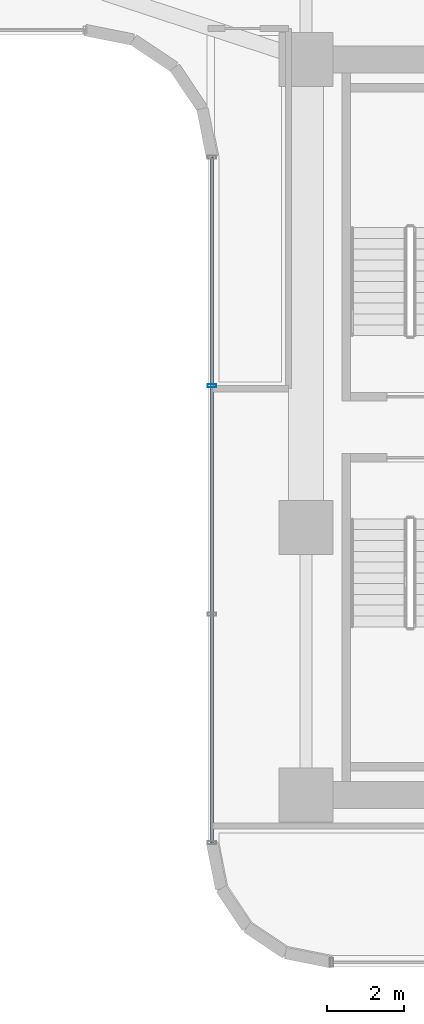
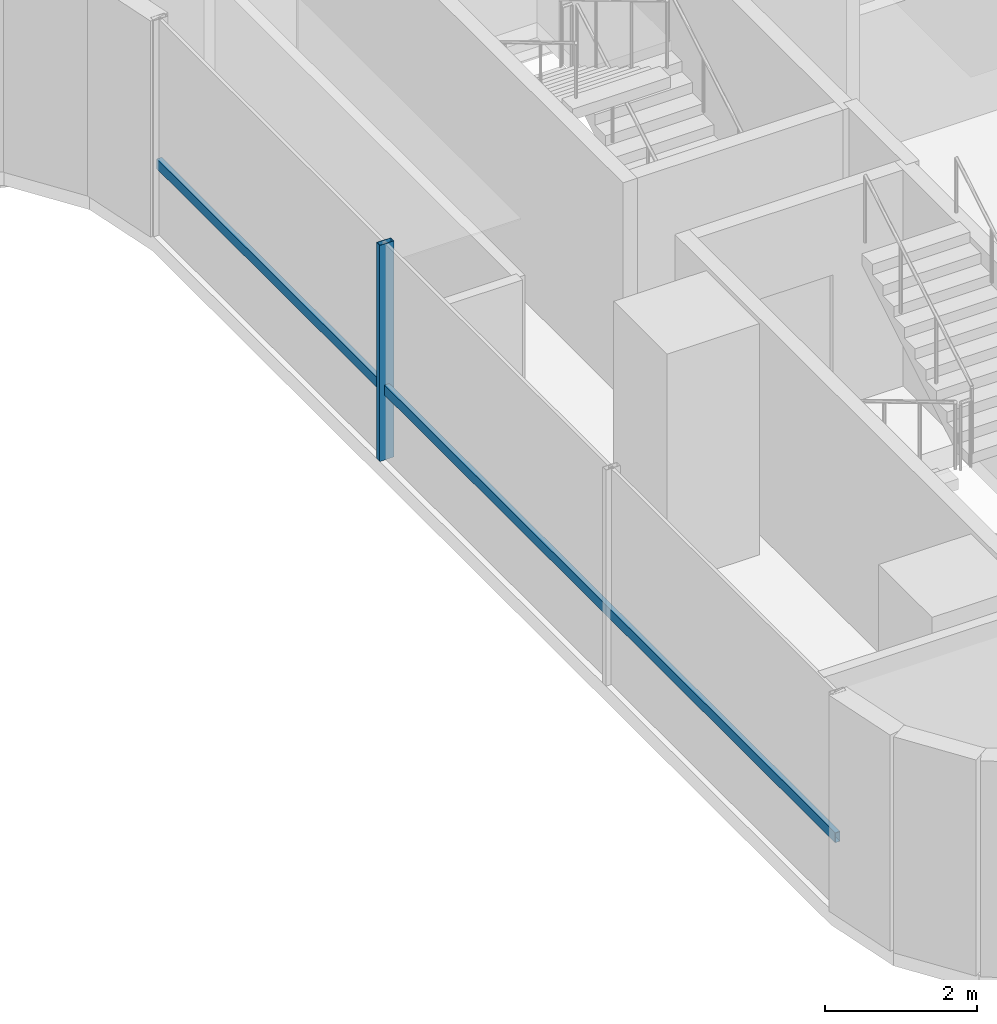
# One storey, part 15 of 40: 2 members, 1 element without a shape of its own.
"""IFC4 building model written with IfcOpenShell, lengths in metres."""

from ifc_helpers import new_model, si_unit, direction, frame, origin, origin_2d, place, context, subcontext, project, spatial, hollow_rectangle, extrude, source, transform, mapped, material, material_profile, profile_set, type_object, element, aggregate, save


model = new_model("IFC4")

# Units and contexts
model_context = context("Model", 3, precision=1e-05, world=origin(), true_north=direction((0.0, 1.0)))
body_context = subcontext(model_context, "Body", "Model", "MODEL_VIEW")
ifc_project = project(units=[si_unit("LENGTHUNIT", "METRE"), si_unit("AREAUNIT", "SQUARE_METRE"), si_unit("VOLUMEUNIT", "CUBIC_METRE"), si_unit("PLANEANGLEUNIT", "RADIAN"), si_unit("MASSUNIT", "GRAM", prefix="KILO")], contexts=[model_context])

# Site, building, storey
site_placement = place(None, origin())
site = spatial("IfcSite", under=ifc_project, at=site_placement, CompositionType="ELEMENT")
building_placement = place(site_placement, origin())
building = spatial("IfcBuilding", under=site, at=building_placement, Name="Valdorenza Pilgrim Sanctuary Tower", CompositionType="ELEMENT")
storey_placement = place(building_placement, frame((0.0, 0.0, 48.199951171875)))
storey = spatial("IfcBuildingStorey", under=building, at=storey_placement, Name="L11", CompositionType="ELEMENT", Elevation=48.199951171875)

# Curtain wall, members
ifc_material_1 = material(Name="Curtain-wall IGU glazing", Category="glass")
curtain_wall_type = type_object("IfcCurtainWallType", Name="CW-SYS-03", PredefinedType="NOTDEFINED", material=ifc_material_1)
curtain_wall_placement = place(storey_placement, origin())
curtain_wall = element("IfcCurtainWall", 1, at=curtain_wall_placement, inside=storey, type_object=curtain_wall_type, Name="L11 Curtain Wall CW-L11-1-31", PredefinedType="NOTDEFINED")
ifc_material_2 = material(Name="Anodised aluminium AW-6060", Category="aluminium")
ifc_material_profile_1 = material_profile(ifc_material_2, hollow_rectangle(XDim=0.0849609375, YDim=0.219970703125, WallThickness=0.0048828125, at=origin_2d()), Name="ALU-M 220x85x5")
ifc_profile_set_1 = profile_set([ifc_material_profile_1], Name="Anodised aluminium AW-6060")
member_type_1 = type_object("IfcMemberType", Name="CW-MUL-03", PredefinedType="MULLION", material=ifc_profile_set_1)
shared_shape_1 = source(origin(), body_context, "Body", "SweptSolid", [
    extrude(hollow_rectangle(XDim=0.0849609375, YDim=0.219970703125, WallThickness=0.0048828125, at=origin_2d()), origin(), (0.0, 0.0, 1.0), 3.4599609375),
])
member_1_placement = place(storey_placement, frame((13.409912109375, 1.077392578125, 0.0), z_axis=(0.0, 0.0, 1.0), x_axis=(0.0, 1.0, 0.0)))
member_1 = element("IfcMember", 2, at=member_1_placement, type_object=member_type_1, Name="CW-L11-1-31 Mullion 3", PredefinedType="MULLION", context=body_context, shape_type="MappedRepresentation", body=[
    mapped(shared_shape_1, transform((0.0, 0.0, 0.0), x_axis=(1.0, 0.0, 0.0), y_axis=(0.0, 1.0, 0.0), z_axis=(0.0, 0.0, 1.0), scale=1.0)),
])
ifc_material_profile_2 = material_profile(ifc_material_2, hollow_rectangle(XDim=0.074951171875, YDim=0.159912109375, WallThickness=0.00390625, at=origin_2d()), Name="ALU-T 160x75x4")
ifc_profile_set_2 = profile_set([ifc_material_profile_2], Name="Anodised aluminium AW-6060")
member_type_2 = type_object("IfcMemberType", Name="CW-TRN-03", PredefinedType="USERDEFINED", material=ifc_profile_set_2)
shared_shape_2 = source(origin(), body_context, "Body", "SweptSolid", [
    extrude(hollow_rectangle(XDim=0.074951171875, YDim=0.159912109375, WallThickness=0.00390625, at=origin_2d()), origin(), (0.0, 0.0, 1.0), 17.800048828125),
])
member_2_placement = place(storey_placement, frame((13.409912109375, -10.789306640625, 1.1201171875), z_axis=(0.0, 1.0, 0.0), x_axis=(-1.0, 0.0, 0.0)))
member_2 = element("IfcMember", 3, at=member_2_placement, type_object=member_type_2, Name="CW-L11-1-31 Transom 1", ObjectType="TRANSOM", PredefinedType="USERDEFINED", context=body_context, shape_type="MappedRepresentation", body=[
    mapped(shared_shape_2, transform((0.0, 0.0, 0.0), x_axis=(1.0, 0.0, 0.0), y_axis=(0.0, 1.0, 0.0), z_axis=(0.0, 0.0, 1.0), scale=1.0)),
])
aggregate(curtain_wall, [member_1, member_2])

save(model, "model.ifc")
